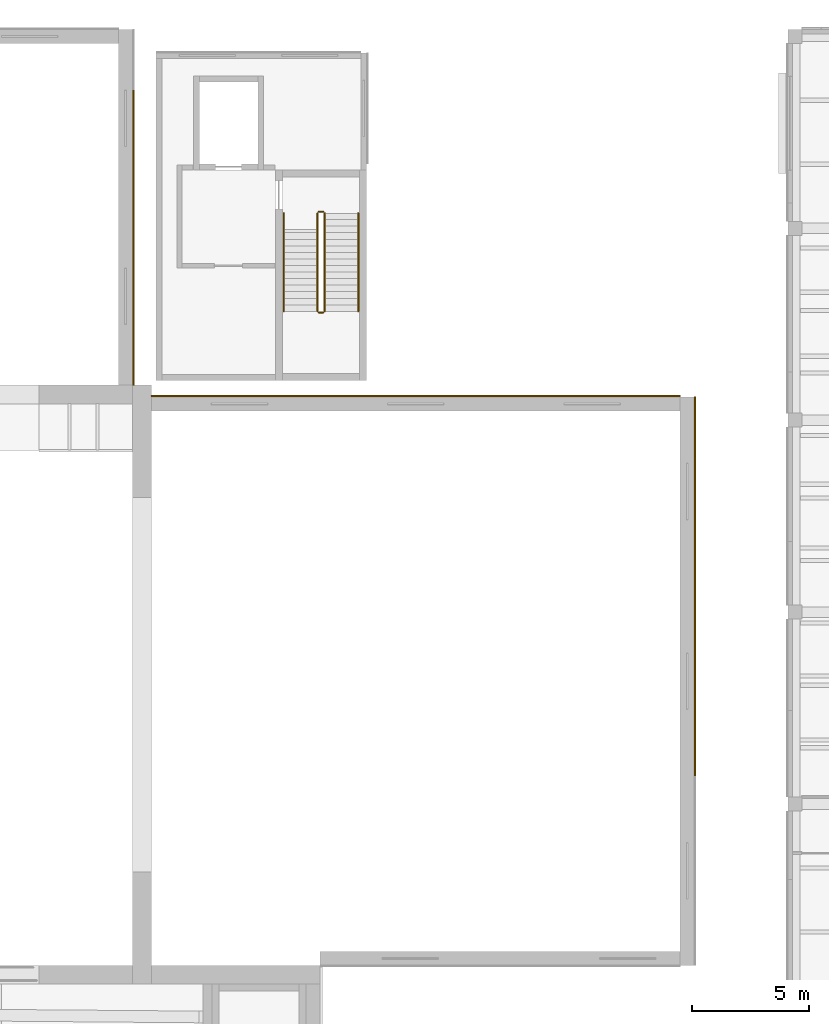
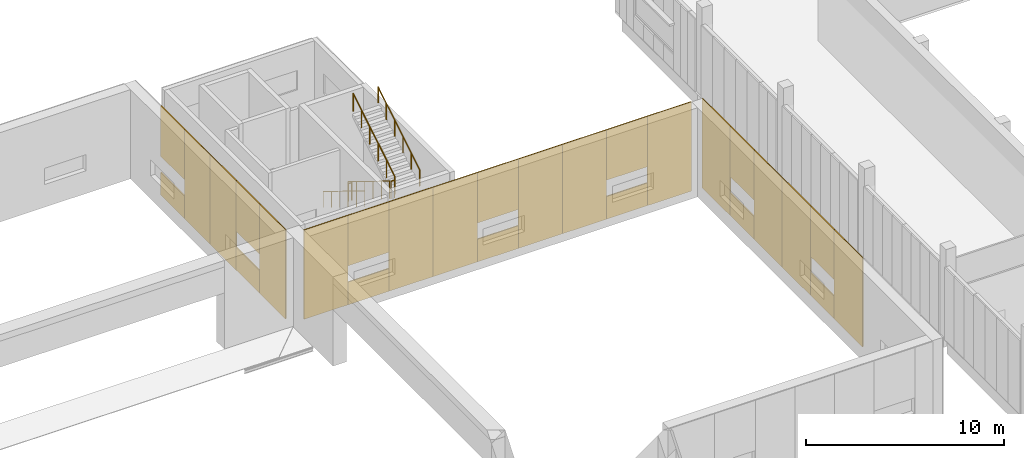
# One storey, part 73 of 87: 27 coverings, 6 railings.
"""IFC4 building model written with IfcOpenShell, lengths in metres."""

import ifcopenshell
import ifcopenshell.guid

model = None  # the IFC model being written
_history = None  # IfcOwnerHistory: only IFC2X3 demands one
_inside = {}  # id of a spatial element -> (the spatial element, [elements in it])
_under = {}  # id of a project, library or spatial element -> (it, [spatial elements below it])
_declared = {}  # id of a project -> (the project, [libraries it declares])
_typed = {}  # id of a type object -> (the type object, [elements of that type])
_made_of = {}  # id of a material, layer set ... -> (it, [elements and type objects made of it])


def new_model(schema):
    """Start an empty IFC model of exactly this schema.

    Asked for "IFC4X3", IfcOpenShell would pick the latest addendum, in which some entities
    have other attributes; the version numbers below select the first issue.
    IFC2X3 requires an IfcOwnerHistory on every rooted entity: one is made here for all.
    """
    global model, _history
    if schema == "IFC4X3":
        model = ifcopenshell.file(schema_version=(4, 3, 0, 0))
    else:
        model = ifcopenshell.file(schema=schema)
    _inside.clear()
    _under.clear()
    _declared.clear()
    _typed.clear()
    _made_of.clear()
    _history = None
    if model.schema == "IFC2X3":
        org = make("IfcOrganization", Name="unknown")
        user = make(
            "IfcPersonAndOrganization",
            ThePerson=make("IfcPerson", FamilyName="unknown"),
            TheOrganization=org,
        )
        app = make(
            "IfcApplication",
            ApplicationDeveloper=org,
            Version="unknown",
            ApplicationFullName="unknown",
            ApplicationIdentifier="unknown",
        )
        _history = make(
            "IfcOwnerHistory",
            OwningUser=user,
            OwningApplication=app,
            ChangeAction="ADDED",
            CreationDate=0,
        )
    return model


def make(cls, **values):
    """One entity of the class cls with the attributes given. An attribute that is None is left unset."""
    return model.create_entity(
        cls, **{name: value for name, value in values.items() if value is not None}
    )


def rooted(cls, **values):
    """An entity with a GlobalId (a new one), such as an element, a storey or a relation."""
    return make(cls, GlobalId=ifcopenshell.guid.new(), OwnerHistory=_history, **values)


def si_unit(unit_type, name, prefix=None):
    """IfcSIUnit, for example si_unit("LENGTHUNIT", "METRE", prefix="MILLI")."""
    return make("IfcSIUnit", UnitType=unit_type, Prefix=prefix, Name=name)


def assignment(units):
    """IfcUnitAssignment: the units of a project."""
    return None if units is None else make("IfcUnitAssignment", Units=units)


def point(xyz):
    """IfcCartesianPoint."""
    return None if xyz is None else make("IfcCartesianPoint", Coordinates=xyz)


def direction(xyz):
    """IfcDirection."""
    return None if xyz is None else make("IfcDirection", DirectionRatios=xyz)


def frame(location, z_axis=None, x_axis=None):
    """IfcAxis2Placement3D, a coordinate frame: its origin and axes. An axis left out is left unset."""
    return make(
        "IfcAxis2Placement3D",
        Location=point(location),
        Axis=direction(z_axis),
        RefDirection=direction(x_axis),
    )


def frame_2d(location, x_axis=None):
    """IfcAxis2Placement2D, a coordinate frame in the plane: its origin and x axis."""
    return make(
        "IfcAxis2Placement2D", Location=point(location), RefDirection=direction(x_axis)
    )


def origin():
    """The frame at (0, 0, 0) with its axes left unset."""
    return frame((0.0, 0.0, 0.0))


def origin_2d():
    """The frame at (0, 0) in the plane with its x axis left unset."""
    return frame_2d((0.0, 0.0))


def place(relative_to, where):
    """IfcLocalPlacement: puts the frame where relative to a parent placement (None: the world)."""
    return make(
        "IfcLocalPlacement", PlacementRelTo=relative_to, RelativePlacement=where
    )


def context(
    kind, dimensions, precision=None, world=None, true_north=None, identifier=None
):
    """IfcGeometricRepresentationContext, for example the 3D "Model" context."""
    return make(
        "IfcGeometricRepresentationContext",
        ContextIdentifier=identifier,
        ContextType=kind,
        CoordinateSpaceDimension=dimensions,
        Precision=precision,
        WorldCoordinateSystem=world,
        TrueNorth=true_north,
    )


def subcontext(parent, identifier, kind, view, scale=None):
    """IfcGeometricRepresentationSubContext, for example "Body" below "Model"."""
    return make(
        "IfcGeometricRepresentationSubContext",
        ContextIdentifier=identifier,
        ContextType=kind,
        ParentContext=parent,
        TargetScale=scale,
        TargetView=view,
    )


def project(units=None, contexts=None):
    """IfcProject with its units and contexts."""
    return rooted(
        "IfcProject",
        Name="project",
        RepresentationContexts=contexts,
        UnitsInContext=assignment(units),
    )


def spatial(cls, under=None, at=None, **own):
    """A site, building, storey or space (cls), placed at a placement, below another one or the project."""
    s = rooted(cls, ObjectPlacement=at, **own)
    if under is not None:
        _under.setdefault(under.id(), (under, []))[1].append(s)
    return s


def profile(cls, at=None, kind="AREA", **sizes):
    """A parametric profile (cls). Its sizes go by their IFC names, for example OverallWidth=200.0."""
    return make(cls, ProfileType=kind, Position=at, **sizes)


def rectangle(**sizes):
    """IfcRectangleProfileDef."""
    return profile("IfcRectangleProfileDef", **sizes)


def circle(**sizes):
    """IfcCircleProfileDef."""
    return profile("IfcCircleProfileDef", **sizes)


def extrude(swept, where, along, depth):
    """IfcExtrudedAreaSolid: the profile swept, set in the frame where, extruded along a direction by depth."""
    return make(
        "IfcExtrudedAreaSolid",
        SweptArea=swept,
        Position=where,
        ExtrudedDirection=direction(along),
        Depth=depth,
    )


def shape(context_of_items, identifier, shape_type, items):
    """IfcShapeRepresentation: the items that make up one representation, for example the "Body"."""
    return make(
        "IfcShapeRepresentation",
        ContextOfItems=context_of_items,
        RepresentationIdentifier=identifier,
        RepresentationType=shape_type,
        Items=items,
    )


def material(Name=None, Category=None):
    """IfcMaterial."""
    return make("IfcMaterial", Name=Name, Category=Category)


def layer(
    of_material, thickness, ventilated=None, Name=None, Category=None, Priority=None
):
    """IfcMaterialLayer: one layer of a wall or slab, of a material (None: an air gap)."""
    return make(
        "IfcMaterialLayer",
        Material=of_material,
        LayerThickness=thickness,
        IsVentilated=ventilated,
        Name=Name,
        Category=Category,
        Priority=Priority,
    )


def layer_set(layers, Name=None):
    """IfcMaterialLayerSet."""
    return make("IfcMaterialLayerSet", MaterialLayers=layers, LayerSetName=Name)


def made_of(thing, what):
    """Note that an element or type object is made of a material, layer set ...; save() writes the relation."""
    if what is not None:
        _made_of.setdefault(what.id(), (what, []))[1].append(thing)
    return thing


def type_object(cls, material=None, **own):
    """A type object (cls), such as IfcWallType, which elements share."""
    return made_of(rooted(cls, **own), material)


def element(
    cls,
    number,
    at=None,
    inside=None,
    cuts=None,
    type_object=None,
    material=None,
    context=None,
    identifier="Body",
    shape_type=None,
    held_by="IfcProductDefinitionShape",
    body=None,
    shapes=None,
    **own,
):
    """One element of the class cls, such as IfcWall. Its Tag is "e" and its number.

    at: its placement. inside: the storey or other place that contains it. cuts: it is an
    opening in that element (IfcRelVoidsElement). A single representation is given by context,
    identifier, shape_type and body (its items); several are given by shapes. held_by: the class
    of the entity that holds the representations. save() writes the other relations.
    """
    e = rooted(cls, Tag="e%d" % number, ObjectPlacement=at, **own)
    if body is not None:
        shapes = [shape(context, identifier, shape_type, body)]
    if shapes is not None:
        e.Representation = make(held_by, Representations=shapes)
    if inside is not None:
        _inside.setdefault(inside.id(), (inside, []))[1].append(e)
    if cuts is not None:
        rooted(
            "IfcRelVoidsElement", RelatingBuildingElement=cuts, RelatedOpeningElement=e
        )
    if type_object is not None:
        _typed.setdefault(type_object.id(), (type_object, []))[1].append(e)
    return made_of(e, material)


def aggregate(whole, parts):
    """IfcRelAggregates: a whole, such as a stair, and the parts it consists of."""
    return rooted("IfcRelAggregates", RelatingObject=whole, RelatedObjects=parts)


def save(model, path):
    """Write the relations noted so far, then the file.

    IfcRelAggregates (storeys below a building ...), IfcRelContainedInSpatialStructure (elements
    in a storey), IfcRelDefinesByType, IfcRelAssociatesMaterial and IfcRelDeclares: one each for
    every whole, place, type object, material and project.
    """
    for whole, parts in _under.values():
        aggregate(whole, parts)
    for where, things in _inside.values():
        rooted(
            "IfcRelContainedInSpatialStructure",
            RelatedElements=things,
            RelatingStructure=where,
        )
    for kind, things in _typed.values():
        rooted("IfcRelDefinesByType", RelatedObjects=things, RelatingType=kind)
    for what, things in _made_of.values():
        rooted("IfcRelAssociatesMaterial", RelatedObjects=things, RelatingMaterial=what)
    for by, libraries in _declared.values():
        rooted("IfcRelDeclares", RelatingContext=by, RelatedDefinitions=libraries)
    model.write(path)


model = new_model("IFC4")

# Units and contexts
model_context = context("Model", 3, precision=1e-05, world=origin(), true_north=direction((0.0, 1.0)))
body_context = subcontext(model_context, "Body", "Model", "MODEL_VIEW")
ifc_project = project(units=[si_unit("LENGTHUNIT", "METRE"), si_unit("AREAUNIT", "SQUARE_METRE"), si_unit("VOLUMEUNIT", "CUBIC_METRE"), si_unit("PLANEANGLEUNIT", "RADIAN"), si_unit("MASSUNIT", "GRAM", prefix="KILO")], contexts=[model_context])

# Site, building, storey
site_placement = place(None, origin())
site = spatial("IfcSite", under=ifc_project, at=site_placement, CompositionType="ELEMENT")
building_placement = place(site_placement, origin())
building = spatial("IfcBuilding", under=site, at=building_placement, Name="Lunette Opera House", CompositionType="ELEMENT")
storey_placement = place(building_placement, frame((0.0, 0.0, 11.5)))
storey = spatial("IfcBuildingStorey", under=building, at=storey_placement, Name="L02", CompositionType="ELEMENT", Elevation=11.5)

# Railings
ifc_material_1 = material(Name="Steel S355", Category="steel")
railing_type_1 = type_object("IfcRailingType", Name="STAIR GUARD 1100", PredefinedType="GUARDRAIL", material=ifc_material_1)
railing_1_placement = place(storey_placement, frame((115.89990234375, 128.14990234375, 0.171875)))
element("IfcRailing", 1, at=railing_1_placement, inside=storey, type_object=railing_type_1, Name="L02 ST12 stair guard 1", PredefinedType="GUARDRAIL", context=body_context, shape_type="SweptSolid", body=[
    extrude(circle(Radius=0.02392578125, at=origin_2d()), frame((0.0, 0.0, 1.076171875), z_axis=(0.0, -0.852242915053, 0.523146264196), x_axis=(1.0, 0.0, 0.0)), (0.0, 0.0, 1.0), 4.92822265625),
    extrude(circle(Radius=0.02099609375, at=origin_2d()), origin(), (0.0, 0.0, 1.0), 1.052001953125),
    extrude(circle(Radius=0.02099609375, at=origin_2d()), frame((0.0, -0.840087890625, 0.515625)), (0.0, 0.0, 1.0), 1.052001953125),
    extrude(circle(Radius=0.02099609375, at=origin_2d()), frame((0.0, -1.679931640625, 1.03125)), (0.0, 0.0, 1.0), 1.052001953125),
    extrude(circle(Radius=0.02099609375, at=origin_2d()), frame((0.0, -2.52001953125, 1.546875)), (0.0, 0.0, 1.0), 1.052001953125),
    extrude(circle(Radius=0.02099609375, at=origin_2d()), frame((0.0, -3.35986328125, 2.0625)), (0.0, 0.0, 1.0), 1.052001953125),
    extrude(circle(Radius=0.02099609375, at=origin_2d()), frame((0.0, -4.199951171875, 2.578125)), (0.0, 0.0, 1.0), 1.052001953125),
])
railing_2_placement = place(storey_placement, frame((115.949951171875, 123.89990234375, 2.75)))
element("IfcRailing", 2, at=railing_2_placement, inside=storey, type_object=railing_type_1, Name="L02 ST12 stair guard 2", PredefinedType="GUARDRAIL", context=body_context, shape_type="SweptSolid", body=[
    extrude(circle(Radius=0.02392578125, at=origin_2d()), frame((0.0, 0.0, 1.076171875), z_axis=(1.0, 0.0, 0.0), x_axis=(0.0, 1.0, 0.0)), (0.0, 0.0, 1.0), 0.199951171875),
    extrude(circle(Radius=0.02099609375, at=origin_2d()), origin(), (0.0, 0.0, 1.0), 1.052001953125),
    extrude(circle(Radius=0.02099609375, at=origin_2d()), frame((0.199951171875, 0.0, 0.0)), (0.0, 0.0, 1.0), 1.052001953125),
])
railing_3_placement = place(storey_placement, frame((116.199951171875, 123.949951171875, 2.921875)))
element("IfcRailing", 3, at=railing_3_placement, inside=storey, type_object=railing_type_1, Name="L02 ST12 stair guard 3", PredefinedType="GUARDRAIL", context=body_context, shape_type="SweptSolid", body=[
    extrude(circle(Radius=0.02392578125, at=origin_2d()), frame((0.0, 0.0, 1.076171875), z_axis=(0.0, 0.852242915053, 0.523146264196), x_axis=(-1.0, 0.0, 0.0)), (0.0, 0.0, 1.0), 4.92822265625),
    extrude(circle(Radius=0.02099609375, at=origin_2d()), origin(), (0.0, 0.0, 1.0), 1.052001953125),
    extrude(circle(Radius=0.02099609375, at=origin_2d()), frame((0.0, 0.840087890625, 0.515625)), (0.0, 0.0, 1.0), 1.052001953125),
    extrude(circle(Radius=0.02099609375, at=origin_2d()), frame((0.0, 1.679931640625, 1.03125)), (0.0, 0.0, 1.0), 1.052001953125),
    extrude(circle(Radius=0.02099609375, at=origin_2d()), frame((0.0, 2.52001953125, 1.546875)), (0.0, 0.0, 1.0), 1.052001953125),
    extrude(circle(Radius=0.02099609375, at=origin_2d()), frame((0.0, 3.35986328125, 2.0625)), (0.0, 0.0, 1.0), 1.052001953125),
    extrude(circle(Radius=0.02099609375, at=origin_2d()), frame((0.0, 4.199951171875, 2.578125)), (0.0, 0.0, 1.0), 1.052001953125),
])
railing_4_placement = place(storey_placement, frame((115.949951171875, 128.199951171875, 0.0)))
element("IfcRailing", 4, at=railing_4_placement, inside=storey, type_object=railing_type_1, Name="L02 ST12 stair guard 4", PredefinedType="GUARDRAIL", context=body_context, shape_type="SweptSolid", body=[
    extrude(circle(Radius=0.02392578125, at=origin_2d()), frame((0.0, 0.0, 1.076171875), z_axis=(1.0, 0.0, 0.0), x_axis=(0.0, 1.0, 0.0)), (0.0, 0.0, 1.0), 0.199951171875),
    extrude(circle(Radius=0.02099609375, at=origin_2d()), origin(), (0.0, 0.0, 1.0), 1.052001953125),
    extrude(circle(Radius=0.02099609375, at=origin_2d()), frame((0.199951171875, 0.0, 0.0)), (0.0, 0.0, 1.0), 1.052001953125),
])
ifc_material_2 = material(Name="Steel S355", Category="steel")
railing_type_2 = type_object("IfcRailingType", Name="STAIR HANDRAIL 1000", PredefinedType="HANDRAIL", material=ifc_material_2)
railing_5_placement = place(storey_placement, frame((114.449951171875, 128.14990234375, 0.171875)))
element("IfcRailing", 5, at=railing_5_placement, inside=storey, type_object=railing_type_2, Name="L02 ST12 stair handrail 1", PredefinedType="HANDRAIL", context=body_context, shape_type="SweptSolid", body=[
    extrude(circle(Radius=0.02392578125, at=origin_2d()), frame((0.0, 0.0, 0.97607421875), z_axis=(0.0, -0.852242915053, 0.523146264196), x_axis=(1.0, 0.0, 0.0)), (0.0, 0.0, 1.0), 4.92822265625),
    extrude(circle(Radius=0.02099609375, at=origin_2d()), origin(), (0.0, 0.0, 1.0), 0.951904296875),
    extrude(circle(Radius=0.02099609375, at=origin_2d()), frame((0.0, -0.840087890625, 0.515625)), (0.0, 0.0, 1.0), 0.951904296875),
    extrude(circle(Radius=0.02099609375, at=origin_2d()), frame((0.0, -1.679931640625, 1.03125)), (0.0, 0.0, 1.0), 0.951904296875),
    extrude(circle(Radius=0.02099609375, at=origin_2d()), frame((0.0, -2.52001953125, 1.546875)), (0.0, 0.0, 1.0), 0.951904296875),
    extrude(circle(Radius=0.02099609375, at=origin_2d()), frame((0.0, -3.35986328125, 2.0625)), (0.0, 0.0, 1.0), 0.951904296875),
    extrude(circle(Radius=0.02099609375, at=origin_2d()), frame((0.0, -4.199951171875, 2.578125)), (0.0, 0.0, 1.0), 0.951904296875),
])
railing_6_placement = place(storey_placement, frame((117.64990234375, 123.949951171875, 2.921875)))
element("IfcRailing", 6, at=railing_6_placement, inside=storey, type_object=railing_type_2, Name="L02 ST12 stair handrail 2", PredefinedType="HANDRAIL", context=body_context, shape_type="SweptSolid", body=[
    extrude(circle(Radius=0.02392578125, at=origin_2d()), frame((0.0, 0.0, 0.97607421875), z_axis=(0.0, 0.852242915053, 0.523146264196), x_axis=(-1.0, 0.0, 0.0)), (0.0, 0.0, 1.0), 4.92822265625),
    extrude(circle(Radius=0.02099609375, at=origin_2d()), origin(), (0.0, 0.0, 1.0), 0.951904296875),
    extrude(circle(Radius=0.02099609375, at=origin_2d()), frame((0.0, 0.840087890625, 0.515625)), (0.0, 0.0, 1.0), 0.951904296875),
    extrude(circle(Radius=0.02099609375, at=origin_2d()), frame((0.0, 1.679931640625, 1.03125)), (0.0, 0.0, 1.0), 0.951904296875),
    extrude(circle(Radius=0.02099609375, at=origin_2d()), frame((0.0, 2.52001953125, 1.546875)), (0.0, 0.0, 1.0), 0.951904296875),
    extrude(circle(Radius=0.02099609375, at=origin_2d()), frame((0.0, 3.35986328125, 2.0625)), (0.0, 0.0, 1.0), 0.951904296875),
    extrude(circle(Radius=0.02099609375, at=origin_2d()), frame((0.0, 4.199951171875, 2.578125)), (0.0, 0.0, 1.0), 0.951904296875),
])

# Coverings
ifc_material_3 = material(Name="Aluminium standing seam cladding", Category="aluminium")
ifc_layer = layer(ifc_material_3, 0.06005859375)
ifc_layer_set = layer_set([ifc_layer], Name="Aluminium standing seam cladding")
covering_type = type_object("IfcCoveringType", Name="STANDING SEAM CLADDING 60", PredefinedType="CLADDING", material=ifc_layer_set)
covering_1_placement = place(storey_placement, frame((132.030029296875, 105.52490234375, 0.0), z_axis=(0.0, 0.0, 1.0), x_axis=(0.0, 1.0, 0.0)))
element("IfcCovering", 7, at=covering_1_placement, inside=storey, type_object=covering_type, Name="Standing seam cladding SE-E-1 L02 21", PredefinedType="CLADDING", context=body_context, shape_type="SweptSolid", body=[
    extrude(rectangle(XDim=2.85009765625, YDim=0.06005859375, at=origin_2d()), origin(), (0.0, 0.0, 1.0), 5.5),
])
covering_2_placement = place(storey_placement, frame((132.030029296875, 108.14990234375, 0.0), z_axis=(0.0, 0.0, 1.0), x_axis=(0.0, 1.0, 0.0)))
element("IfcCovering", 8, at=covering_2_placement, inside=storey, type_object=covering_type, Name="Standing seam cladding SE-E-1 L02 30", PredefinedType="CLADDING", context=body_context, shape_type="SweptSolid", body=[
    extrude(rectangle(XDim=2.39990234375, YDim=0.06005859375, at=origin_2d()), origin(), (0.0, 0.0, 1.0), 1.39990234375),
])
covering_3_placement = place(storey_placement, frame((132.030029296875, 108.14990234375, 2.39990234375), z_axis=(0.0, 0.0, 1.0), x_axis=(0.0, 1.0, 0.0)))
element("IfcCovering", 9, at=covering_3_placement, inside=storey, type_object=covering_type, Name="Standing seam cladding SE-E-1 L02 31", PredefinedType="CLADDING", context=body_context, shape_type="SweptSolid", body=[
    extrude(rectangle(XDim=2.39990234375, YDim=0.06005859375, at=origin_2d()), origin(), (0.0, 0.0, 1.0), 3.10009765625),
])
for number, where, z_axis, x_axis, name in (
    (10, (132.030029296875, 110.77490234375, 0.0), (0.0, 0.0, 1.0), (0.0, 1.0, 0.0), "Standing seam cladding SE-E-1 L02 40"),
    (11, (132.030029296875, 113.625, 0.0), (0.0, 0.0, 1.0), (0.0, 1.0, 0.0), "Standing seam cladding SE-E-1 L02 41"),
):
    element("IfcCovering", number, at=place(storey_placement, frame(where, z_axis=z_axis, x_axis=x_axis)), inside=storey, type_object=covering_type, Name=name, PredefinedType="CLADDING", context=body_context, shape_type="SweptSolid", body=[
        extrude(rectangle(XDim=2.85009765625, YDim=0.06005859375, at=origin_2d()), origin(), (0.0, 0.0, 1.0), 5.5),
    ])
covering_4_placement = place(storey_placement, frame((132.030029296875, 116.25, 0.0), z_axis=(0.0, 0.0, 1.0), x_axis=(0.0, 1.0, 0.0)))
element("IfcCovering", 12, at=covering_4_placement, inside=storey, type_object=covering_type, Name="Standing seam cladding SE-E-1 L02 50", PredefinedType="CLADDING", context=body_context, shape_type="SweptSolid", body=[
    extrude(rectangle(XDim=2.39990234375, YDim=0.06005859375, at=origin_2d()), origin(), (0.0, 0.0, 1.0), 1.39990234375),
])
covering_5_placement = place(storey_placement, frame((132.030029296875, 116.25, 2.39990234375), z_axis=(0.0, 0.0, 1.0), x_axis=(0.0, 1.0, 0.0)))
element("IfcCovering", 13, at=covering_5_placement, inside=storey, type_object=covering_type, Name="Standing seam cladding SE-E-1 L02 51", PredefinedType="CLADDING", context=body_context, shape_type="SweptSolid", body=[
    extrude(rectangle(XDim=2.39990234375, YDim=0.06005859375, at=origin_2d()), origin(), (0.0, 0.0, 1.0), 3.10009765625),
])
covering_6_placement = place(storey_placement, frame((132.030029296875, 118.875, 0.0), z_axis=(0.0, 0.0, 1.0), x_axis=(0.0, 1.0, 0.0)))
element("IfcCovering", 14, at=covering_6_placement, inside=storey, type_object=covering_type, Name="Standing seam cladding SE-E-1 L02 60", PredefinedType="CLADDING", context=body_context, shape_type="SweptSolid", body=[
    extrude(rectangle(XDim=2.85009765625, YDim=0.06005859375, at=origin_2d()), origin(), (0.0, 0.0, 1.0), 5.5),
])
covering_7_placement = place(storey_placement, frame((110.0830078125, 120.330078125, 0.0), z_axis=(0.0, 0.0, 1.0), x_axis=(1.0, 0.0, 0.0)))
element("IfcCovering", 15, at=covering_7_placement, inside=storey, type_object=covering_type, Name="Standing seam cladding SE-N-1 L02 00", PredefinedType="CLADDING", context=body_context, shape_type="SweptSolid", body=[
    extrude(rectangle(XDim=2.56689453125, YDim=0.06005859375, at=origin_2d()), origin(), (0.0, 0.0, 1.0), 5.5),
])
covering_8_placement = place(storey_placement, frame((112.56689453125, 120.330078125, 0.0), z_axis=(0.0, 0.0, 1.0), x_axis=(1.0, 0.0, 0.0)))
element("IfcCovering", 16, at=covering_8_placement, inside=storey, type_object=covering_type, Name="Standing seam cladding SE-N-1 L02 10", PredefinedType="CLADDING", context=body_context, shape_type="SweptSolid", body=[
    extrude(rectangle(XDim=2.39990234375, YDim=0.06005859375, at=origin_2d()), origin(), (0.0, 0.0, 1.0), 1.39990234375),
])
covering_9_placement = place(storey_placement, frame((112.56689453125, 120.330078125, 2.39990234375), z_axis=(0.0, 0.0, 1.0), x_axis=(1.0, 0.0, 0.0)))
element("IfcCovering", 17, at=covering_9_placement, inside=storey, type_object=covering_type, Name="Standing seam cladding SE-N-1 L02 11", PredefinedType="CLADDING", context=body_context, shape_type="SweptSolid", body=[
    extrude(rectangle(XDim=2.39990234375, YDim=0.06005859375, at=origin_2d()), origin(), (0.0, 0.0, 1.0), 3.10009765625),
])
for number, where, z_axis, x_axis, name in (
    (18, (115.050048828125, 120.330078125, 0.0), (0.0, 0.0, 1.0), (1.0, 0.0, 0.0), "Standing seam cladding SE-N-1 L02 20"),
    (19, (117.616943359375, 120.330078125, 0.0), (0.0, 0.0, 1.0), (1.0, 0.0, 0.0), "Standing seam cladding SE-N-1 L02 21"),
):
    element("IfcCovering", number, at=place(storey_placement, frame(where, z_axis=z_axis, x_axis=x_axis)), inside=storey, type_object=covering_type, Name=name, PredefinedType="CLADDING", context=body_context, shape_type="SweptSolid", body=[
        extrude(rectangle(XDim=2.56689453125, YDim=0.06005859375, at=origin_2d()), origin(), (0.0, 0.0, 1.0), 5.5),
    ])
covering_10_placement = place(storey_placement, frame((120.10009765625, 120.330078125, 0.0), z_axis=(0.0, 0.0, 1.0), x_axis=(1.0, 0.0, 0.0)))
element("IfcCovering", 20, at=covering_10_placement, inside=storey, type_object=covering_type, Name="Standing seam cladding SE-N-1 L02 30", PredefinedType="CLADDING", context=body_context, shape_type="SweptSolid", body=[
    extrude(rectangle(XDim=2.39990234375, YDim=0.06005859375, at=origin_2d()), origin(), (0.0, 0.0, 1.0), 1.39990234375),
])
covering_11_placement = place(storey_placement, frame((120.10009765625, 120.330078125, 2.39990234375), z_axis=(0.0, 0.0, 1.0), x_axis=(1.0, 0.0, 0.0)))
element("IfcCovering", 21, at=covering_11_placement, inside=storey, type_object=covering_type, Name="Standing seam cladding SE-N-1 L02 31", PredefinedType="CLADDING", context=body_context, shape_type="SweptSolid", body=[
    extrude(rectangle(XDim=2.39990234375, YDim=0.06005859375, at=origin_2d()), origin(), (0.0, 0.0, 1.0), 3.10009765625),
])
for number, where, z_axis, x_axis, name in (
    (22, (122.5830078125, 120.330078125, 0.0), (0.0, 0.0, 1.0), (1.0, 0.0, 0.0), "Standing seam cladding SE-N-1 L02 40"),
    (23, (125.14990234375, 120.330078125, 0.0), (0.0, 0.0, 1.0), (1.0, 0.0, 0.0), "Standing seam cladding SE-N-1 L02 41"),
):
    element("IfcCovering", number, at=place(storey_placement, frame(where, z_axis=z_axis, x_axis=x_axis)), inside=storey, type_object=covering_type, Name=name, PredefinedType="CLADDING", context=body_context, shape_type="SweptSolid", body=[
        extrude(rectangle(XDim=2.56689453125, YDim=0.06005859375, at=origin_2d()), origin(), (0.0, 0.0, 1.0), 5.5),
    ])
covering_12_placement = place(storey_placement, frame((127.633056640625, 120.330078125, 0.0), z_axis=(0.0, 0.0, 1.0), x_axis=(1.0, 0.0, 0.0)))
element("IfcCovering", 24, at=covering_12_placement, inside=storey, type_object=covering_type, Name="Standing seam cladding SE-N-1 L02 50", PredefinedType="CLADDING", context=body_context, shape_type="SweptSolid", body=[
    extrude(rectangle(XDim=2.39990234375, YDim=0.06005859375, at=origin_2d()), origin(), (0.0, 0.0, 1.0), 1.39990234375),
])
covering_13_placement = place(storey_placement, frame((127.633056640625, 120.330078125, 2.39990234375), z_axis=(0.0, 0.0, 1.0), x_axis=(1.0, 0.0, 0.0)))
element("IfcCovering", 25, at=covering_13_placement, inside=storey, type_object=covering_type, Name="Standing seam cladding SE-N-1 L02 51", PredefinedType="CLADDING", context=body_context, shape_type="SweptSolid", body=[
    extrude(rectangle(XDim=2.39990234375, YDim=0.06005859375, at=origin_2d()), origin(), (0.0, 0.0, 1.0), 3.10009765625),
])
covering_14_placement = place(storey_placement, frame((130.116943359375, 120.330078125, 0.0), z_axis=(0.0, 0.0, 1.0), x_axis=(1.0, 0.0, 0.0)))
element("IfcCovering", 26, at=covering_14_placement, inside=storey, type_object=covering_type, Name="Standing seam cladding SE-N-1 L02 60", PredefinedType="CLADDING", context=body_context, shape_type="SweptSolid", body=[
    extrude(rectangle(XDim=2.56689453125, YDim=0.06005859375, at=origin_2d()), origin(), (0.0, 0.0, 1.0), 5.5),
])
covering_15_placement = place(storey_placement, frame((108.030029296875, 122.10009765625, 0.0), z_axis=(0.0, 0.0, 1.0), x_axis=(0.0, 1.0, 0.0)))
element("IfcCovering", 27, at=covering_15_placement, inside=storey, type_object=covering_type, Name="Standing seam cladding SR-E-1 L02 00", PredefinedType="CLADDING", context=body_context, shape_type="SweptSolid", body=[
    extrude(rectangle(XDim=2.60009765625, YDim=0.06005859375, at=origin_2d()), origin(), (0.0, 0.0, 1.0), 5.5),
])
covering_16_placement = place(storey_placement, frame((108.030029296875, 124.60009765625, 0.0), z_axis=(0.0, 0.0, 1.0), x_axis=(0.0, 1.0, 0.0)))
element("IfcCovering", 28, at=covering_16_placement, inside=storey, type_object=covering_type, Name="Standing seam cladding SR-E-1 L02 10", PredefinedType="CLADDING", context=body_context, shape_type="SweptSolid", body=[
    extrude(rectangle(XDim=2.39990234375, YDim=0.06005859375, at=origin_2d()), origin(), (0.0, 0.0, 1.0), 1.39990234375),
])
covering_17_placement = place(storey_placement, frame((108.030029296875, 124.60009765625, 2.39990234375), z_axis=(0.0, 0.0, 1.0), x_axis=(0.0, 1.0, 0.0)))
element("IfcCovering", 29, at=covering_17_placement, inside=storey, type_object=covering_type, Name="Standing seam cladding SR-E-1 L02 11", PredefinedType="CLADDING", context=body_context, shape_type="SweptSolid", body=[
    extrude(rectangle(XDim=2.39990234375, YDim=0.06005859375, at=origin_2d()), origin(), (0.0, 0.0, 1.0), 3.10009765625),
])
for number, where, z_axis, x_axis, name in (
    (30, (108.030029296875, 127.10009765625, 0.0), (0.0, 0.0, 1.0), (0.0, 1.0, 0.0), "Standing seam cladding SR-E-1 L02 20"),
    (31, (108.030029296875, 129.699951171875, 0.0), (0.0, 0.0, 1.0), (0.0, 1.0, 0.0), "Standing seam cladding SR-E-1 L02 21"),
):
    element("IfcCovering", number, at=place(storey_placement, frame(where, z_axis=z_axis, x_axis=x_axis)), inside=storey, type_object=covering_type, Name=name, PredefinedType="CLADDING", context=body_context, shape_type="SweptSolid", body=[
        extrude(rectangle(XDim=2.60009765625, YDim=0.06005859375, at=origin_2d()), origin(), (0.0, 0.0, 1.0), 5.5),
    ])
covering_18_placement = place(storey_placement, frame((108.030029296875, 132.199951171875, 0.0), z_axis=(0.0, 0.0, 1.0), x_axis=(0.0, 1.0, 0.0)))
element("IfcCovering", 32, at=covering_18_placement, inside=storey, type_object=covering_type, Name="Standing seam cladding SR-E-1 L02 30", PredefinedType="CLADDING", context=body_context, shape_type="SweptSolid", body=[
    extrude(rectangle(XDim=2.39990234375, YDim=0.06005859375, at=origin_2d()), origin(), (0.0, 0.0, 1.0), 1.39990234375),
])
covering_19_placement = place(storey_placement, frame((108.030029296875, 132.199951171875, 2.39990234375), z_axis=(0.0, 0.0, 1.0), x_axis=(0.0, 1.0, 0.0)))
element("IfcCovering", 33, at=covering_19_placement, inside=storey, type_object=covering_type, Name="Standing seam cladding SR-E-1 L02 31", PredefinedType="CLADDING", context=body_context, shape_type="SweptSolid", body=[
    extrude(rectangle(XDim=2.39990234375, YDim=0.06005859375, at=origin_2d()), origin(), (0.0, 0.0, 1.0), 3.10009765625),
])

save(model, "model.ifc")
